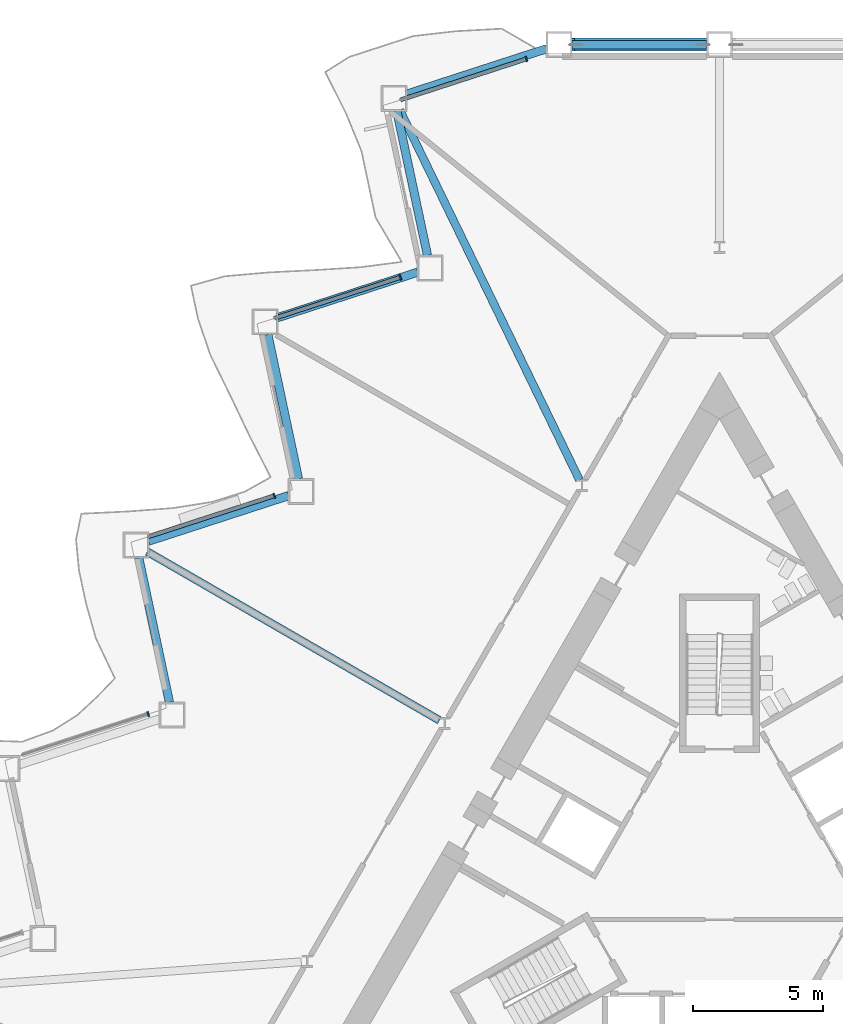
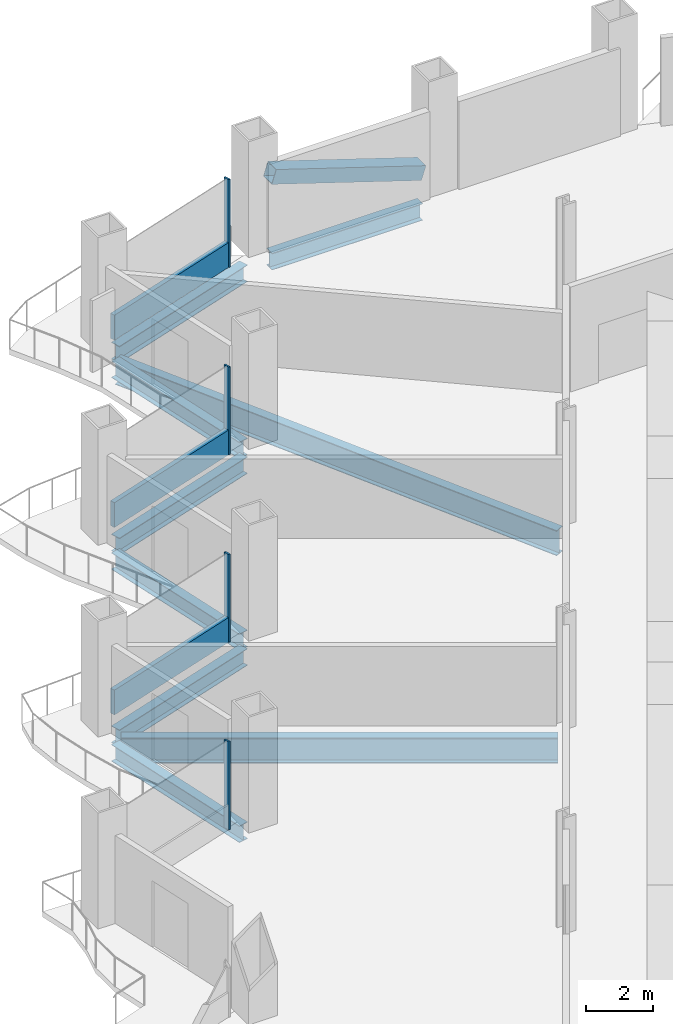
# One storey, part 6 of 21: 9 beams, 8 members, 4 elements without a shape of their own.
"""IFC4 building model written with IfcOpenShell, lengths in metres."""

from ifc_helpers import new_model, si_unit, direction, frame, origin, origin_2d, place, context, subcontext, project, spatial, rectangle, hollow_rectangle, i_section, extrude, material, layer, layer_set, material_profile, profile_set, type_object, element, aggregate, save


model = new_model("IFC4")

# Units and contexts
model_context = context("Model", 3, precision=1e-05, world=origin(), true_north=direction((0.0, 1.0)))
body_context = subcontext(model_context, "Body", "Model", "MODEL_VIEW")
ifc_project = project(units=[si_unit("LENGTHUNIT", "METRE"), si_unit("AREAUNIT", "SQUARE_METRE"), si_unit("VOLUMEUNIT", "CUBIC_METRE"), si_unit("PLANEANGLEUNIT", "RADIAN"), si_unit("MASSUNIT", "GRAM", prefix="KILO")], contexts=[model_context])

# Site, building, storey
site_placement = place(None, origin())
site = spatial("IfcSite", under=ifc_project, at=site_placement, CompositionType="ELEMENT")
building_placement = place(site_placement, origin())
building = spatial("IfcBuilding", under=site, at=building_placement, Name="Cormorant Prow Tower", CompositionType="ELEMENT")
storey_placement = place(building_placement, frame((0.0, 0.0, 42.60009765625)))
storey = spatial("IfcBuildingStorey", under=building, at=storey_placement, Name="L08", CompositionType="ELEMENT", Elevation=42.60009765625)

# Member
ifc_material_1 = material(Name="Structural steel ASTM A500 Gr C", Category="steel")
ifc_material_profile_1 = material_profile(ifc_material_1, hollow_rectangle(XDim=0.508056640625, YDim=0.508056640625, WallThickness=0.014892578125, at=origin_2d()), Name="HSS20x20x5/8")
ifc_profile_set_1 = profile_set([ifc_material_profile_1], Name="Structural steel ASTM A500 Gr C")
member_type_1 = type_object("IfcMemberType", Name="Chamfer brace HSS20x20x5/8", PredefinedType="BRACE", material=ifc_profile_set_1)
member_1_placement = place(storey_placement, frame((-0.518798828125, 32.233642578125, 0.76708984375), z_axis=(-0.951761092368, 0.0, 0.306840061033), x_axis=(0.0, -1.0, 0.0)))
element("IfcMember", 1, at=member_1_placement, inside=storey, type_object=member_type_1, Name="Chamfer brace BR1 at N01 L08", PredefinedType="BRACE", context=body_context, shape_type="SweptSolid", body=[
    extrude(hollow_rectangle(XDim=0.508056640625, YDim=0.508056640625, WallThickness=0.014892578125, at=origin_2d()), origin(), (0.0, 0.0, 1.0), 5.39208984375),
])

# Curtain wall, member
ifc_material_2 = material(Name="Aluminium 6063-T6", Category="aluminium")
ifc_layer = layer(ifc_material_2, 0.199951171875)
ifc_layer_set = layer_set([ifc_layer], Name="Aluminium 6063-T6")
curtain_wall_type = type_object("IfcCurtainWallType", Name="Office unitised curtain wall 200", PredefinedType="NOTDEFINED", material=ifc_layer_set)
curtain_wall_1_placement = place(storey_placement, origin())
curtain_wall_1 = element("IfcCurtainWall", 2, at=curtain_wall_1_placement, inside=storey, type_object=curtain_wall_type, Name="Office curtain wall WNW00", PredefinedType="NOTDEFINED")
ifc_material_3 = material(Name="Aluminium 6063-T6", Category="aluminium")
ifc_material_profile_2 = material_profile(ifc_material_3, rectangle(XDim=0.199951171875, YDim=0.06005859375, at=origin_2d()), Name="Office mullion 60x200")
ifc_profile_set_2 = profile_set([ifc_material_profile_2], Name="Aluminium 6063-T6")
member_type_2 = type_object("IfcMemberType", Name="Office mullion 60x200", PredefinedType="MULLION", material=ifc_profile_set_2)
member_2_placement = place(storey_placement, frame((-7.433837890625, 31.6796875, 0.0), z_axis=(0.0, 0.0, 1.0), x_axis=(0.309016937009, -0.951056534935, 0.0)))
member_2 = element("IfcMember", 3, at=member_2_placement, type_object=member_type_2, Name="Office mullion WNW00", PredefinedType="MULLION", context=body_context, shape_type="SweptSolid", body=[
    extrude(rectangle(XDim=0.199951171875, YDim=0.06005859375, at=origin_2d()), origin(), (0.0, 0.0, 1.0), 3.188720703125),
])

curtain_wall_2_placement = place(storey_placement, origin())
curtain_wall_2 = element("IfcCurtainWall", 4, at=curtain_wall_2_placement, inside=storey, type_object=curtain_wall_type, Name="Office curtain wall WNW02", PredefinedType="NOTDEFINED")
member_3_placement = place(storey_placement, frame((-12.286376953125, 23.274658203125, 0.0), z_axis=(0.0, 0.0, 1.0), x_axis=(0.309016937009, -0.951056534935, 0.0)))
member_3 = element("IfcMember", 5, at=member_3_placement, type_object=member_type_2, Name="Office mullion WNW02", PredefinedType="MULLION", context=body_context, shape_type="SweptSolid", body=[
    extrude(rectangle(XDim=0.199951171875, YDim=0.06005859375, at=origin_2d()), origin(), (0.0, 0.0, 1.0), 3.188720703125),
])

curtain_wall_3_placement = place(storey_placement, origin())
curtain_wall_3 = element("IfcCurtainWall", 6, at=curtain_wall_3_placement, inside=storey, type_object=curtain_wall_type, Name="Office curtain wall WNW04", PredefinedType="NOTDEFINED")
member_4_placement = place(storey_placement, frame((-17.13916015625, 14.86962890625, 0.0), z_axis=(0.0, 0.0, 1.0), x_axis=(0.309016892008, -0.951056549556, 0.0)))
member_4 = element("IfcMember", 7, at=member_4_placement, type_object=member_type_2, Name="Office mullion WNW04", PredefinedType="MULLION", context=body_context, shape_type="SweptSolid", body=[
    extrude(rectangle(XDim=0.199951171875, YDim=0.06005859375, at=origin_2d()), origin(), (0.0, 0.0, 1.0), 3.188720703125),
])

curtain_wall_4_placement = place(storey_placement, origin())
curtain_wall_4 = element("IfcCurtainWall", 8, at=curtain_wall_4_placement, inside=storey, type_object=curtain_wall_type, Name="Office curtain wall WNW06", PredefinedType="NOTDEFINED")
member_5_placement = place(storey_placement, frame((-21.99169921875, 6.464599609375, 0.0), z_axis=(0.0, 0.0, 1.0), x_axis=(0.309016937009, -0.951056534935, 0.0)))
member_5 = element("IfcMember", 9, at=member_5_placement, type_object=member_type_2, Name="Office mullion WNW06", PredefinedType="MULLION", context=body_context, shape_type="SweptSolid", body=[
    extrude(rectangle(XDim=0.199951171875, YDim=0.06005859375, at=origin_2d()), origin(), (0.0, 0.0, 1.0), 3.188720703125),
])
aggregate(curtain_wall_4, [member_5])

# Member
ifc_material_4 = material(Name="Terracotta", Category="masonry")
ifc_material_profile_3 = material_profile(ifc_material_4, rectangle(XDim=0.159912109375, YDim=0.89990234375, at=origin_2d()), Name="Office terracotta spandrel rail 160x900")
ifc_profile_set_3 = profile_set([ifc_material_profile_3], Name="Terracotta")
member_type_3 = type_object("IfcMemberType", Name="Office terracotta spandrel rail 160x900", PredefinedType="USERDEFINED", material=ifc_profile_set_3)
member_6_placement = place(storey_placement, frame((-7.46240234375, 31.67041015625, 0.449951171875), z_axis=(-0.951061701222, -0.309001036355, 0.0), x_axis=(0.309001036355, -0.951061701222, 0.0)))
member_6 = element("IfcMember", 10, at=member_6_placement, type_object=member_type_3, Name="Office spandrel rail WNW00", ObjectType="TRANSOM", PredefinedType="USERDEFINED", context=body_context, shape_type="SweptSolid", body=[
    extrude(rectangle(XDim=0.159912109375, YDim=0.89990234375, at=origin_2d()), origin(), (0.0, 0.0, 1.0), 5.063720703125),
])

aggregate(curtain_wall_1, [member_2, member_6])

member_7_placement = place(storey_placement, frame((-12.31494140625, 23.265380859375, 0.449951171875), z_axis=(-0.95106630442, -0.308986868, 0.0), x_axis=(0.308986868, -0.95106630442, 0.0)))
member_7 = element("IfcMember", 11, at=member_7_placement, type_object=member_type_3, Name="Office spandrel rail WNW02", ObjectType="TRANSOM", PredefinedType="USERDEFINED", context=body_context, shape_type="SweptSolid", body=[
    extrude(rectangle(XDim=0.159912109375, YDim=0.89990234375, at=origin_2d()), origin(), (0.0, 0.0, 1.0), 5.06396484375),
])

aggregate(curtain_wall_2, [member_3, member_7])

member_8_placement = place(storey_placement, frame((-17.167724609375, 14.8603515625, 0.449951171875), z_axis=(-0.951061701222, -0.309001036355, 0.0), x_axis=(0.309001036355, -0.951061701222, 0.0)))
member_8 = element("IfcMember", 12, at=member_8_placement, type_object=member_type_3, Name="Office spandrel rail WNW04", ObjectType="TRANSOM", PredefinedType="USERDEFINED", context=body_context, shape_type="SweptSolid", body=[
    extrude(rectangle(XDim=0.159912109375, YDim=0.89990234375, at=origin_2d()), origin(), (0.0, 0.0, 1.0), 5.063720703125),
])

aggregate(curtain_wall_3, [member_4, member_8])

# Beams
ifc_material_5 = material(Name="Structural steel ASTM A992 Gr 50", Category="steel")
ifc_material_profile_4 = material_profile(ifc_material_5, i_section(OverallWidth=0.3046875, OverallDepth=0.914794921875, WebThickness=0.0166015625, FlangeThickness=0.02587890625, at=origin_2d()), Name="W36x160")
ifc_profile_set_4 = profile_set([ifc_material_profile_4], Name="Structural steel ASTM A992 Gr 50")
beam_type_1 = type_object("IfcBeamType", Name="Radial floor beam W36x160", PredefinedType="BEAM", material=ifc_profile_set_4)
beam_1_placement = place(storey_placement, frame((-5.390625, 15.4775390625, -0.857421875), z_axis=(-0.436839436813, 0.899539496879, 0.0), x_axis=(-0.899539496879, -0.436839436813, 0.0)))
element("IfcBeam", 13, at=beam_1_placement, inside=storey, type_object=beam_type_1, Name="Radial floor beam FB1 2 L08", PredefinedType="BEAM", context=body_context, shape_type="SweptSolid", body=[
    extrude(i_section(OverallWidth=0.3046875, OverallDepth=0.914794921875, WebThickness=0.0166015625, FlangeThickness=0.02587890625, at=origin_2d()), origin(), (0.0, 0.0, 1.0), 15.83203125),
])
beam_2_placement = place(storey_placement, frame((-10.779541015625, 6.2236328125, -0.857421875), z_axis=(-0.866030278318, 0.499991556966, 0.0), x_axis=(-0.499991556966, -0.866030278318, 0.0)))
element("IfcBeam", 14, at=beam_2_placement, inside=storey, type_object=beam_type_1, Name="Radial floor beam FB1 3 L08", PredefinedType="BEAM", context=body_context, shape_type="SweptSolid", body=[
    extrude(i_section(OverallWidth=0.3046875, OverallDepth=0.914794921875, WebThickness=0.0166015625, FlangeThickness=0.02587890625, at=origin_2d()), origin(), (0.0, 0.0, 1.0), 12.984130859375),
])
ifc_material_6 = material(Name="Structural steel ASTM A992 Gr 50", Category="steel")
ifc_material_profile_5 = material_profile(ifc_material_6, i_section(OverallWidth=0.32373046875, OverallDepth=0.611083984375, WebThickness=0.0126953125, FlangeThickness=0.01904296875, at=origin_2d()), Name="W24x104")
ifc_profile_set_5 = profile_set([ifc_material_profile_5], Name="Structural steel ASTM A992 Gr 50")
beam_type_2 = type_object("IfcBeamType", Name="Spandrel beam W24x104", PredefinedType="SPANDREL", material=ifc_profile_set_5)
beam_3_placement = place(storey_placement, frame((-0.5, 32.233642578125, -0.70556640625), z_axis=(-1.0, 0.0, 0.0), x_axis=(0.0, -1.0, 0.0)))
element("IfcBeam", 15, at=beam_3_placement, inside=storey, type_object=beam_type_2, Name="Spandrel beam SB1 N01-WNW00 L08", PredefinedType="SPANDREL", context=body_context, shape_type="SweptSolid", body=[
    extrude(i_section(OverallWidth=0.32373046875, OverallDepth=0.611083984375, WebThickness=0.0126953125, FlangeThickness=0.01904296875, at=origin_2d()), origin(), (0.0, 0.0, 1.0), 5.169677734375),
])
beam_4_placement = place(storey_placement, frame((-6.645263671875, 32.0791015625, -0.70556640625), z_axis=(-0.951061849722, -0.309000579292, 0.0), x_axis=(0.309000579292, -0.951061849722, 0.0)))
element("IfcBeam", 16, at=beam_4_placement, inside=storey, type_object=beam_type_2, Name="Spandrel beam SB1 WNW00-WNW01 L08", PredefinedType="SPANDREL", context=body_context, shape_type="SweptSolid", body=[
    extrude(i_section(OverallWidth=0.32373046875, OverallDepth=0.611083984375, WebThickness=0.0126953125, FlangeThickness=0.01904296875, at=origin_2d()), origin(), (0.0, 0.0, 1.0), 5.682373046875),
])
beam_5_placement = place(storey_placement, frame((-12.421142578125, 29.6796875, -0.70556640625), z_axis=(0.207900376723, -0.97815000555, 0.0), x_axis=(0.97815000555, 0.207900376723, 0.0)))
element("IfcBeam", 17, at=beam_5_placement, inside=storey, type_object=beam_type_2, Name="Spandrel beam SB1 WNW01-WNW02 L08", PredefinedType="SPANDREL", context=body_context, shape_type="SweptSolid", body=[
    extrude(i_section(OverallWidth=0.32373046875, OverallDepth=0.611083984375, WebThickness=0.0126953125, FlangeThickness=0.01904296875, at=origin_2d()), origin(), (0.0, 0.0, 1.0), 5.6826171875),
])
beam_6_placement = place(storey_placement, frame((-11.611328125, 23.477783203125, -0.70556640625), z_axis=(-0.951049222751, -0.309039440696, 0.0), x_axis=(0.309039440696, -0.951049222751, 0.0)))
element("IfcBeam", 18, at=beam_6_placement, inside=storey, type_object=beam_type_2, Name="Spandrel beam SB1 WNW02-WNW03 L08", PredefinedType="SPANDREL", context=body_context, shape_type="SweptSolid", body=[
    extrude(i_section(OverallWidth=0.32373046875, OverallDepth=0.611083984375, WebThickness=0.0126953125, FlangeThickness=0.01904296875, at=origin_2d()), origin(), (0.0, 0.0, 1.0), 5.682373046875),
])
beam_7_placement = place(storey_placement, frame((-17.38720703125, 21.078125, -0.70556640625), z_axis=(0.207900376723, -0.97815000555, 0.0), x_axis=(0.97815000555, 0.207900376723, 0.0)))
element("IfcBeam", 19, at=beam_7_placement, inside=storey, type_object=beam_type_2, Name="Spandrel beam SB1 WNW03-WNW04 L08", PredefinedType="SPANDREL", context=body_context, shape_type="SweptSolid", body=[
    extrude(i_section(OverallWidth=0.32373046875, OverallDepth=0.611083984375, WebThickness=0.0126953125, FlangeThickness=0.01904296875, at=origin_2d()), origin(), (0.0, 0.0, 1.0), 5.6826171875),
])
beam_8_placement = place(storey_placement, frame((-16.577392578125, 14.876220703125, -0.70556640625), z_axis=(-0.951049222751, -0.309039440696, 0.0), x_axis=(0.309039440696, -0.951049222751, 0.0)))
element("IfcBeam", 20, at=beam_8_placement, inside=storey, type_object=beam_type_2, Name="Spandrel beam SB1 WNW04-WNW05 L08", PredefinedType="SPANDREL", context=body_context, shape_type="SweptSolid", body=[
    extrude(i_section(OverallWidth=0.32373046875, OverallDepth=0.611083984375, WebThickness=0.0126953125, FlangeThickness=0.01904296875, at=origin_2d()), origin(), (0.0, 0.0, 1.0), 5.682373046875),
])
beam_9_placement = place(storey_placement, frame((-22.353271484375, 12.4765625, -0.70556640625), z_axis=(0.207900376723, -0.97815000555, 0.0), x_axis=(0.97815000555, 0.207900376723, 0.0)))
element("IfcBeam", 21, at=beam_9_placement, inside=storey, type_object=beam_type_2, Name="Spandrel beam SB1 WNW05-WNW06 L08", PredefinedType="SPANDREL", context=body_context, shape_type="SweptSolid", body=[
    extrude(i_section(OverallWidth=0.32373046875, OverallDepth=0.611083984375, WebThickness=0.0126953125, FlangeThickness=0.01904296875, at=origin_2d()), origin(), (0.0, 0.0, 1.0), 5.6826171875),
])

save(model, "model.ifc")
